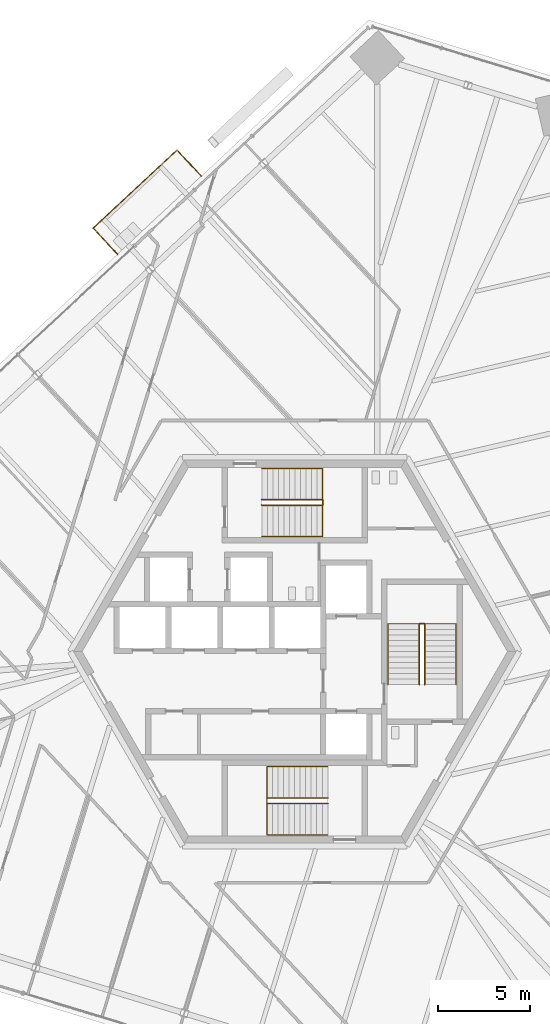
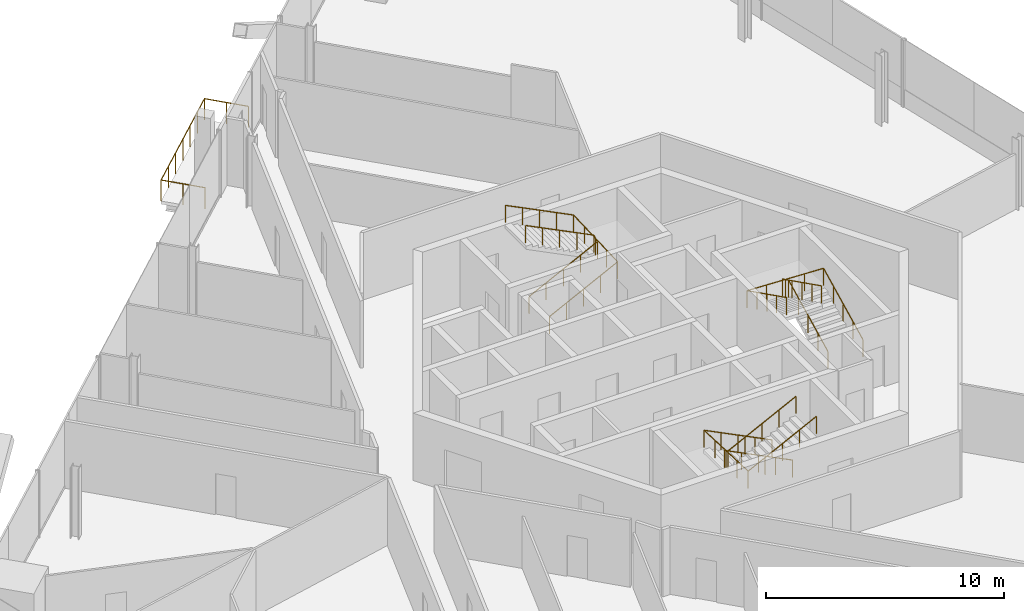
# One storey, part 15 of 18: 7 railings.
"""IFC4 building model written with IfcOpenShell, lengths in metres."""

from ifc_helpers import new_model, si_unit, direction, frame, origin, origin_2d, place, context, subcontext, project, spatial, circle, extrude, source, transform, mapped, material, type_object, element, save


model = new_model("IFC4")

# Units and contexts
model_context = context("Model", 3, precision=1e-05, world=origin(), true_north=direction((0.0, 1.0)))
body_context = subcontext(model_context, "Body", "Model", "MODEL_VIEW")
ifc_project = project(units=[si_unit("LENGTHUNIT", "METRE"), si_unit("AREAUNIT", "SQUARE_METRE"), si_unit("VOLUMEUNIT", "CUBIC_METRE"), si_unit("PLANEANGLEUNIT", "RADIAN"), si_unit("MASSUNIT", "GRAM", prefix="KILO")], contexts=[model_context])

# Site, building, storey
site_placement = place(None, origin())
site = spatial("IfcSite", under=ifc_project, at=site_placement, CompositionType="ELEMENT")
building_placement = place(site_placement, origin())
building = spatial("IfcBuilding", under=site, at=building_placement, Name="Triune Harvest Tower", CompositionType="ELEMENT")
storey_placement = place(building_placement, frame((0.0, 0.0, 101.89990234375)))
storey = spatial("IfcBuildingStorey", under=building, at=storey_placement, Name="L25", CompositionType="ELEMENT", Elevation=101.89990234375)

# Railings
ifc_material_1 = material(Name="Glass", Category="glass")
railing_type_1 = type_object("IfcRailingType", Name="GD-2 balcony guard 1100", PredefinedType="GUARDRAIL", material=ifc_material_1)
railing_1_placement = place(storey_placement, frame((-5.0712890625, 25.79541015625, 0.0)))
element("IfcRailing", 1, at=railing_1_placement, inside=storey, type_object=railing_type_1, Name="Balcony guard B3-F3 L25.4", PredefinedType="GUARDRAIL", context=body_context, shape_type="SweptSolid", body=[
    extrude(circle(Radius=0.02392578125, at=origin_2d()), frame((0.0, 0.0, 1.076171875), z_axis=(-0.682025422231, 0.731328464802, 0.0), x_axis=(-0.731328464802, -0.682025422231, 0.0)), (0.0, 0.0, 1.0), 1.93115234375),
    extrude(circle(Radius=0.02392578125, at=origin_2d()), frame((-1.317138671875, 1.412353515625, 1.076171875), z_axis=(-0.731367183593, -0.681983902129, 0.0), x_axis=(0.681983902129, -0.731367183593, 0.0)), (0.0, 0.0, 1.0), 6.21923828125),
    extrude(circle(Radius=0.02392578125, at=origin_2d()), frame((-5.86572265625, -2.8291015625, 1.076171875), z_axis=(0.682093027089, -0.731265411733, 0.0), x_axis=(0.731265411733, 0.682093027089, 0.0)), (0.0, 0.0, 1.0), 1.931396484375),
    extrude(circle(Radius=0.02099609375, at=origin_2d()), origin(), (0.0, 0.0, 1.0), 1.052001953125),
    extrude(circle(Radius=0.02099609375, at=origin_2d()), frame((-0.65869140625, 0.7060546875, 0.0)), (0.0, 0.0, 1.0), 1.052001953125),
    extrude(circle(Radius=0.02099609375, at=origin_2d()), frame((-1.317138671875, 1.412353515625, 0.0)), (0.0, 0.0, 1.0), 1.052001953125),
    extrude(circle(Radius=0.02099609375, at=origin_2d()), frame((-2.0751953125, 0.70556640625, 0.0)), (0.0, 0.0, 1.0), 1.052001953125),
    extrude(circle(Radius=0.02099609375, at=origin_2d()), frame((-2.833251953125, -0.00146484375, 0.0)), (0.0, 0.0, 1.0), 1.052001953125),
    extrude(circle(Radius=0.02099609375, at=origin_2d()), frame((-3.59130859375, -0.70849609375, 0.0)), (0.0, 0.0, 1.0), 1.052001953125),
    extrude(circle(Radius=0.02099609375, at=origin_2d()), frame((-4.349609375, -1.415283203125, 0.0)), (0.0, 0.0, 1.0), 1.052001953125),
    extrude(circle(Radius=0.02099609375, at=origin_2d()), frame((-5.107666015625, -2.1220703125, 0.0)), (0.0, 0.0, 1.0), 1.052001953125),
    extrude(circle(Radius=0.02099609375, at=origin_2d()), frame((-5.86572265625, -2.8291015625, 0.0)), (0.0, 0.0, 1.0), 1.052001953125),
    extrude(circle(Radius=0.02099609375, at=origin_2d()), frame((-5.20703125, -3.53515625, 0.0)), (0.0, 0.0, 1.0), 1.052001953125),
    extrude(circle(Radius=0.02099609375, at=origin_2d()), frame((-4.54833984375, -4.241455078125, 0.0)), (0.0, 0.0, 1.0), 1.052001953125),
])
ifc_material_2 = material(Name="Stainless steel AISI 316", Category="steel")
railing_type_2 = type_object("IfcRailingType", Name="Stair handrail", PredefinedType="HANDRAIL", material=ifc_material_2)
shared_shape_1 = source(origin(), body_context, "Body", "SweptSolid", [
    extrude(circle(Radius=0.02392578125, at=origin_2d()), frame((0.0, 0.0, 0.8759765625), z_axis=(0.894440424912, 0.0, 0.447187126696), x_axis=(0.0, 1.0, 0.0)), (0.0, 0.0, 1.0), 3.689453125),
    extrude(circle(Radius=0.02392578125, at=origin_2d()), frame((3.300048828125, 0.0, 2.52587890625), z_axis=(0.0, 0.999177620331, 0.040547293732), x_axis=(-1.0, 0.0, 0.0)), (0.0, 0.0, 1.0), 3.702880859375),
    extrude(circle(Radius=0.02392578125, at=origin_2d()), frame((3.300048828125, 3.699951171875, 2.67578125), z_axis=(-0.894440424912, 0.0, 0.447187126696), x_axis=(0.0, -1.0, 0.0)), (0.0, 0.0, 1.0), 3.689453125),
    extrude(circle(Radius=0.02099609375, at=origin_2d()), origin(), (0.0, 0.0, 1.0), 0.851806640625),
    extrude(circle(Radius=0.02099609375, at=origin_2d()), frame((0.824951171875, 0.0, 0.41259765625)), (0.0, 0.0, 1.0), 0.851806640625),
    extrude(circle(Radius=0.02099609375, at=origin_2d()), frame((1.64990234375, 0.0, 0.824951171875)), (0.0, 0.0, 1.0), 0.851806640625),
    extrude(circle(Radius=0.02099609375, at=origin_2d()), frame((2.47509765625, 0.0, 1.2373046875)), (0.0, 0.0, 1.0), 0.851806640625),
    extrude(circle(Radius=0.02099609375, at=origin_2d()), frame((3.300048828125, 0.0, 1.64990234375)), (0.0, 0.0, 1.0), 0.851806640625),
    extrude(circle(Radius=0.02099609375, at=origin_2d()), frame((3.300048828125, 0.925048828125, 1.6875)), (0.0, 0.0, 1.0), 0.851806640625),
    extrude(circle(Radius=0.02099609375, at=origin_2d()), frame((3.300048828125, 1.85009765625, 1.72509765625)), (0.0, 0.0, 1.0), 0.851806640625),
    extrude(circle(Radius=0.02099609375, at=origin_2d()), frame((3.300048828125, 2.77490234375, 1.762451171875)), (0.0, 0.0, 1.0), 0.851806640625),
    extrude(circle(Radius=0.02099609375, at=origin_2d()), frame((3.300048828125, 3.699951171875, 1.800048828125)), (0.0, 0.0, 1.0), 0.851806640625),
    extrude(circle(Radius=0.02099609375, at=origin_2d()), frame((2.47509765625, 3.699951171875, 2.21240234375)), (0.0, 0.0, 1.0), 0.851806640625),
    extrude(circle(Radius=0.02099609375, at=origin_2d()), frame((1.64990234375, 3.699951171875, 2.625)), (0.0, 0.0, 1.0), 0.851806640625),
    extrude(circle(Radius=0.02099609375, at=origin_2d()), frame((0.824951171875, 3.699951171875, 3.03759765625)), (0.0, 0.0, 1.0), 0.851806640625),
    extrude(circle(Radius=0.02099609375, at=origin_2d()), frame((0.0, 3.699951171875, 3.449951171875)), (0.0, 0.0, 1.0), 0.851806640625),
])
railing_2_placement = place(storey_placement, frame((-1.7900390625, 6.239990234375, 0.150146484375)))
element("IfcRailing", 2, at=railing_2_placement, inside=storey, type_object=railing_type_2, Name="Exit stair north wall handrail", PredefinedType="HANDRAIL", context=body_context, shape_type="MappedRepresentation", body=[
    mapped(shared_shape_1, transform((0.0, 0.0, 0.0), scale=1.0)),
])
shared_shape_2 = source(origin(), body_context, "Body", "SweptSolid", [
    extrude(circle(Radius=0.02392578125, at=origin_2d()), frame((0.0, 0.0, 0.8759765625), z_axis=(0.894440424912, 0.0, 0.447187126696), x_axis=(0.0, 1.0, 0.0)), (0.0, 0.0, 1.0), 3.689453125),
    extrude(circle(Radius=0.02392578125, at=origin_2d()), frame((3.300048828125, 0.0, 2.52587890625), z_axis=(0.0, 0.894281613681, 0.447504631744), x_axis=(-1.0, 0.0, 0.0)), (0.0, 0.0, 1.0), 0.33544921875),
    extrude(circle(Radius=0.02392578125, at=origin_2d()), frame((3.300048828125, 0.300048828125, 2.67578125), z_axis=(-0.894440424912, 0.0, 0.447187126696), x_axis=(0.0, -1.0, 0.0)), (0.0, 0.0, 1.0), 3.689453125),
    extrude(circle(Radius=0.02099609375, at=origin_2d()), origin(), (0.0, 0.0, 1.0), 0.851806640625),
    extrude(circle(Radius=0.02099609375, at=origin_2d()), frame((0.824951171875, 0.0, 0.41259765625)), (0.0, 0.0, 1.0), 0.851806640625),
    extrude(circle(Radius=0.02099609375, at=origin_2d()), frame((1.64990234375, 0.0, 0.824951171875)), (0.0, 0.0, 1.0), 0.851806640625),
    extrude(circle(Radius=0.02099609375, at=origin_2d()), frame((2.47509765625, 0.0, 1.2373046875)), (0.0, 0.0, 1.0), 0.851806640625),
    extrude(circle(Radius=0.02099609375, at=origin_2d()), frame((3.300048828125, 0.0, 1.64990234375)), (0.0, 0.0, 1.0), 0.851806640625),
    extrude(circle(Radius=0.02099609375, at=origin_2d()), frame((3.300048828125, 0.300048828125, 1.800048828125)), (0.0, 0.0, 1.0), 0.851806640625),
    extrude(circle(Radius=0.02099609375, at=origin_2d()), frame((2.47509765625, 0.300048828125, 2.21240234375)), (0.0, 0.0, 1.0), 0.851806640625),
    extrude(circle(Radius=0.02099609375, at=origin_2d()), frame((1.64990234375, 0.300048828125, 2.625)), (0.0, 0.0, 1.0), 0.851806640625),
    extrude(circle(Radius=0.02099609375, at=origin_2d()), frame((0.824951171875, 0.300048828125, 3.03759765625)), (0.0, 0.0, 1.0), 0.851806640625),
    extrude(circle(Radius=0.02099609375, at=origin_2d()), frame((0.0, 0.300048828125, 3.449951171875)), (0.0, 0.0, 1.0), 0.851806640625),
])
railing_3_placement = place(storey_placement, frame((-1.7900390625, 7.93994140625, 0.150146484375)))
element("IfcRailing", 3, at=railing_3_placement, inside=storey, type_object=railing_type_2, Name="Exit stair north centre handrail", PredefinedType="HANDRAIL", context=body_context, shape_type="MappedRepresentation", body=[
    mapped(shared_shape_2, transform((0.0, 0.0, 0.0), scale=1.0)),
])
shared_shape_3 = source(origin(), body_context, "Body", "SweptSolid", [
    extrude(circle(Radius=0.02392578125, at=origin_2d()), frame((0.0, 0.0, 0.8759765625), z_axis=(-0.894440424912, 0.0, 0.447187126696), x_axis=(0.0, -1.0, 0.0)), (0.0, 0.0, 1.0), 3.689453125),
    extrude(circle(Radius=0.02392578125, at=origin_2d()), frame((-3.300048828125, 0.0, 2.52587890625), z_axis=(0.0, -0.999177620331, 0.040547293732), x_axis=(1.0, 0.0, 0.0)), (0.0, 0.0, 1.0), 3.702880859375),
    extrude(circle(Radius=0.02392578125, at=origin_2d()), frame((-3.300048828125, -3.699951171875, 2.67578125), z_axis=(0.894440424912, 0.0, 0.447187126696), x_axis=(0.0, 1.0, 0.0)), (0.0, 0.0, 1.0), 3.689453125),
    extrude(circle(Radius=0.02099609375, at=origin_2d()), origin(), (0.0, 0.0, 1.0), 0.851806640625),
    extrude(circle(Radius=0.02099609375, at=origin_2d()), frame((-0.824951171875, 0.0, 0.41259765625)), (0.0, 0.0, 1.0), 0.851806640625),
    extrude(circle(Radius=0.02099609375, at=origin_2d()), frame((-1.64990234375, 0.0, 0.824951171875)), (0.0, 0.0, 1.0), 0.851806640625),
    extrude(circle(Radius=0.02099609375, at=origin_2d()), frame((-2.47509765625, 0.0, 1.2373046875)), (0.0, 0.0, 1.0), 0.851806640625),
    extrude(circle(Radius=0.02099609375, at=origin_2d()), frame((-3.300048828125, 0.0, 1.64990234375)), (0.0, 0.0, 1.0), 0.851806640625),
    extrude(circle(Radius=0.02099609375, at=origin_2d()), frame((-3.300048828125, -0.925048828125, 1.6875)), (0.0, 0.0, 1.0), 0.851806640625),
    extrude(circle(Radius=0.02099609375, at=origin_2d()), frame((-3.300048828125, -1.85009765625, 1.72509765625)), (0.0, 0.0, 1.0), 0.851806640625),
    extrude(circle(Radius=0.02099609375, at=origin_2d()), frame((-3.300048828125, -2.77490234375, 1.762451171875)), (0.0, 0.0, 1.0), 0.851806640625),
    extrude(circle(Radius=0.02099609375, at=origin_2d()), frame((-3.300048828125, -3.699951171875, 1.800048828125)), (0.0, 0.0, 1.0), 0.851806640625),
    extrude(circle(Radius=0.02099609375, at=origin_2d()), frame((-2.47509765625, -3.699951171875, 2.21240234375)), (0.0, 0.0, 1.0), 0.851806640625),
    extrude(circle(Radius=0.02099609375, at=origin_2d()), frame((-1.64990234375, -3.699951171875, 2.625)), (0.0, 0.0, 1.0), 0.851806640625),
    extrude(circle(Radius=0.02099609375, at=origin_2d()), frame((-0.824951171875, -3.699951171875, 3.03759765625)), (0.0, 0.0, 1.0), 0.851806640625),
    extrude(circle(Radius=0.02099609375, at=origin_2d()), frame((0.0, -3.699951171875, 3.449951171875)), (0.0, 0.0, 1.0), 0.851806640625),
])
railing_4_placement = place(storey_placement, frame((1.7900390625, -6.239990234375, 0.150146484375)))
element("IfcRailing", 4, at=railing_4_placement, inside=storey, type_object=railing_type_2, Name="Exit stair south wall handrail", PredefinedType="HANDRAIL", context=body_context, shape_type="MappedRepresentation", body=[
    mapped(shared_shape_3, transform((0.0, 0.0, 0.0), scale=1.0)),
])
shared_shape_4 = source(origin(), body_context, "Body", "SweptSolid", [
    extrude(circle(Radius=0.02392578125, at=origin_2d()), frame((0.0, 0.0, 0.8759765625), z_axis=(-0.894440424912, 0.0, 0.447187126696), x_axis=(0.0, -1.0, 0.0)), (0.0, 0.0, 1.0), 3.689453125),
    extrude(circle(Radius=0.02392578125, at=origin_2d()), frame((-3.300048828125, 0.0, 2.52587890625), z_axis=(0.0, -0.894281613681, 0.447504631744), x_axis=(1.0, 0.0, 0.0)), (0.0, 0.0, 1.0), 0.33544921875),
    extrude(circle(Radius=0.02392578125, at=origin_2d()), frame((-3.300048828125, -0.300048828125, 2.67578125), z_axis=(0.894440424912, 0.0, 0.447187126696), x_axis=(0.0, 1.0, 0.0)), (0.0, 0.0, 1.0), 3.689453125),
    extrude(circle(Radius=0.02099609375, at=origin_2d()), origin(), (0.0, 0.0, 1.0), 0.851806640625),
    extrude(circle(Radius=0.02099609375, at=origin_2d()), frame((-0.824951171875, 0.0, 0.41259765625)), (0.0, 0.0, 1.0), 0.851806640625),
    extrude(circle(Radius=0.02099609375, at=origin_2d()), frame((-1.64990234375, 0.0, 0.824951171875)), (0.0, 0.0, 1.0), 0.851806640625),
    extrude(circle(Radius=0.02099609375, at=origin_2d()), frame((-2.47509765625, 0.0, 1.2373046875)), (0.0, 0.0, 1.0), 0.851806640625),
    extrude(circle(Radius=0.02099609375, at=origin_2d()), frame((-3.300048828125, 0.0, 1.64990234375)), (0.0, 0.0, 1.0), 0.851806640625),
    extrude(circle(Radius=0.02099609375, at=origin_2d()), frame((-3.300048828125, -0.300048828125, 1.800048828125)), (0.0, 0.0, 1.0), 0.851806640625),
    extrude(circle(Radius=0.02099609375, at=origin_2d()), frame((-2.47509765625, -0.300048828125, 2.21240234375)), (0.0, 0.0, 1.0), 0.851806640625),
    extrude(circle(Radius=0.02099609375, at=origin_2d()), frame((-1.64990234375, -0.300048828125, 2.625)), (0.0, 0.0, 1.0), 0.851806640625),
    extrude(circle(Radius=0.02099609375, at=origin_2d()), frame((-0.824951171875, -0.300048828125, 3.03759765625)), (0.0, 0.0, 1.0), 0.851806640625),
    extrude(circle(Radius=0.02099609375, at=origin_2d()), frame((0.0, -0.300048828125, 3.449951171875)), (0.0, 0.0, 1.0), 0.851806640625),
])
railing_5_placement = place(storey_placement, frame((1.7900390625, -7.93994140625, 0.150146484375)))
element("IfcRailing", 5, at=railing_5_placement, inside=storey, type_object=railing_type_2, Name="Exit stair south centre handrail", PredefinedType="HANDRAIL", context=body_context, shape_type="MappedRepresentation", body=[
    mapped(shared_shape_4, transform((0.0, 0.0, 0.0), scale=1.0)),
])
shared_shape_5 = source(origin(), body_context, "Body", "SweptSolid", [
    extrude(circle(Radius=0.02392578125, at=origin_2d()), frame((0.0, 0.0, 0.8759765625), z_axis=(0.0, 0.894440424912, 0.447187126696), x_axis=(-1.0, 0.0, 0.0)), (0.0, 0.0, 1.0), 3.689453125),
    extrude(circle(Radius=0.02392578125, at=origin_2d()), frame((0.0, 3.300048828125, 2.52587890625), z_axis=(-0.999177620331, 0.0, 0.040547293732), x_axis=(0.0, -1.0, 0.0)), (0.0, 0.0, 1.0), 3.702880859375),
    extrude(circle(Radius=0.02392578125, at=origin_2d()), frame((-3.699951171875, 3.300048828125, 2.67578125), z_axis=(0.0, -0.894440424912, 0.447187126696), x_axis=(1.0, 0.0, 0.0)), (0.0, 0.0, 1.0), 3.689453125),
    extrude(circle(Radius=0.02099609375, at=origin_2d()), origin(), (0.0, 0.0, 1.0), 0.851806640625),
    extrude(circle(Radius=0.02099609375, at=origin_2d()), frame((0.0, 0.824951171875, 0.41259765625)), (0.0, 0.0, 1.0), 0.851806640625),
    extrude(circle(Radius=0.02099609375, at=origin_2d()), frame((0.0, 1.64990234375, 0.824951171875)), (0.0, 0.0, 1.0), 0.851806640625),
    extrude(circle(Radius=0.02099609375, at=origin_2d()), frame((0.0, 2.47509765625, 1.2373046875)), (0.0, 0.0, 1.0), 0.851806640625),
    extrude(circle(Radius=0.02099609375, at=origin_2d()), frame((0.0, 3.300048828125, 1.64990234375)), (0.0, 0.0, 1.0), 0.851806640625),
    extrude(circle(Radius=0.02099609375, at=origin_2d()), frame((-0.925048828125, 3.300048828125, 1.6875)), (0.0, 0.0, 1.0), 0.851806640625),
    extrude(circle(Radius=0.02099609375, at=origin_2d()), frame((-1.85009765625, 3.300048828125, 1.72509765625)), (0.0, 0.0, 1.0), 0.851806640625),
    extrude(circle(Radius=0.02099609375, at=origin_2d()), frame((-2.77490234375, 3.300048828125, 1.762451171875)), (0.0, 0.0, 1.0), 0.851806640625),
    extrude(circle(Radius=0.02099609375, at=origin_2d()), frame((-3.699951171875, 3.300048828125, 1.800048828125)), (0.0, 0.0, 1.0), 0.851806640625),
    extrude(circle(Radius=0.02099609375, at=origin_2d()), frame((-3.699951171875, 2.47509765625, 2.21240234375)), (0.0, 0.0, 1.0), 0.851806640625),
    extrude(circle(Radius=0.02099609375, at=origin_2d()), frame((-3.699951171875, 1.64990234375, 2.625)), (0.0, 0.0, 1.0), 0.851806640625),
    extrude(circle(Radius=0.02099609375, at=origin_2d()), frame((-3.699951171875, 0.824951171875, 3.03759765625)), (0.0, 0.0, 1.0), 0.851806640625),
    extrude(circle(Radius=0.02099609375, at=origin_2d()), frame((-3.699951171875, 0.0, 3.449951171875)), (0.0, 0.0, 1.0), 0.851806640625),
])
railing_6_placement = place(storey_placement, frame((8.75, -1.7900390625, 0.150146484375)))
element("IfcRailing", 6, at=railing_6_placement, inside=storey, type_object=railing_type_2, Name="Exit stair east wall handrail", PredefinedType="HANDRAIL", context=body_context, shape_type="MappedRepresentation", body=[
    mapped(shared_shape_5, transform((0.0, 0.0, 0.0), scale=1.0)),
])
shared_shape_6 = source(origin(), body_context, "Body", "SweptSolid", [
    extrude(circle(Radius=0.02392578125, at=origin_2d()), frame((0.0, 0.0, 0.8759765625), z_axis=(0.0, 0.894440424912, 0.447187126696), x_axis=(-1.0, 0.0, 0.0)), (0.0, 0.0, 1.0), 3.689453125),
    extrude(circle(Radius=0.02392578125, at=origin_2d()), frame((0.0, 3.300048828125, 2.52587890625), z_axis=(-0.894281613681, 0.0, 0.447504631744), x_axis=(0.0, -1.0, 0.0)), (0.0, 0.0, 1.0), 0.33544921875),
    extrude(circle(Radius=0.02392578125, at=origin_2d()), frame((-0.300048828125, 3.300048828125, 2.67578125), z_axis=(0.0, -0.894440424912, 0.447187126696), x_axis=(1.0, 0.0, 0.0)), (0.0, 0.0, 1.0), 3.689453125),
    extrude(circle(Radius=0.02099609375, at=origin_2d()), origin(), (0.0, 0.0, 1.0), 0.851806640625),
    extrude(circle(Radius=0.02099609375, at=origin_2d()), frame((0.0, 0.824951171875, 0.41259765625)), (0.0, 0.0, 1.0), 0.851806640625),
    extrude(circle(Radius=0.02099609375, at=origin_2d()), frame((0.0, 1.64990234375, 0.824951171875)), (0.0, 0.0, 1.0), 0.851806640625),
    extrude(circle(Radius=0.02099609375, at=origin_2d()), frame((0.0, 2.47509765625, 1.2373046875)), (0.0, 0.0, 1.0), 0.851806640625),
    extrude(circle(Radius=0.02099609375, at=origin_2d()), frame((0.0, 3.300048828125, 1.64990234375)), (0.0, 0.0, 1.0), 0.851806640625),
    extrude(circle(Radius=0.02099609375, at=origin_2d()), frame((-0.300048828125, 3.300048828125, 1.800048828125)), (0.0, 0.0, 1.0), 0.851806640625),
    extrude(circle(Radius=0.02099609375, at=origin_2d()), frame((-0.300048828125, 2.47509765625, 2.21240234375)), (0.0, 0.0, 1.0), 0.851806640625),
    extrude(circle(Radius=0.02099609375, at=origin_2d()), frame((-0.300048828125, 1.64990234375, 2.625)), (0.0, 0.0, 1.0), 0.851806640625),
    extrude(circle(Radius=0.02099609375, at=origin_2d()), frame((-0.300048828125, 0.824951171875, 3.03759765625)), (0.0, 0.0, 1.0), 0.851806640625),
    extrude(circle(Radius=0.02099609375, at=origin_2d()), frame((-0.300048828125, 0.0, 3.449951171875)), (0.0, 0.0, 1.0), 0.851806640625),
])
railing_7_placement = place(storey_placement, frame((7.050048828125, -1.7900390625, 0.150146484375)))
element("IfcRailing", 7, at=railing_7_placement, inside=storey, type_object=railing_type_2, Name="Exit stair east centre handrail", PredefinedType="HANDRAIL", context=body_context, shape_type="MappedRepresentation", body=[
    mapped(shared_shape_6, transform((0.0, 0.0, 0.0), scale=1.0)),
])

save(model, "model.ifc")
